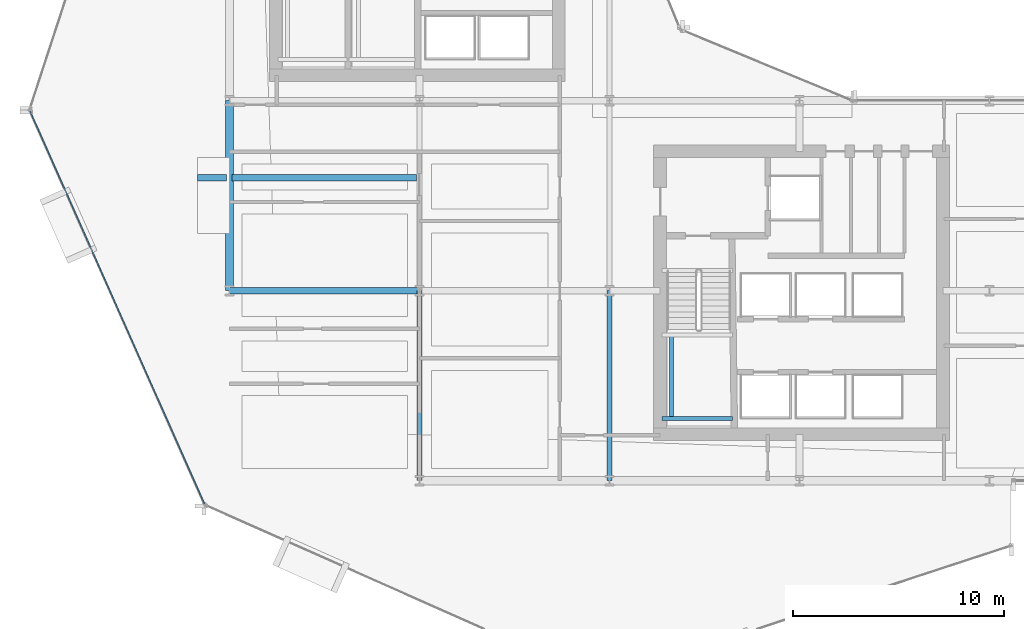
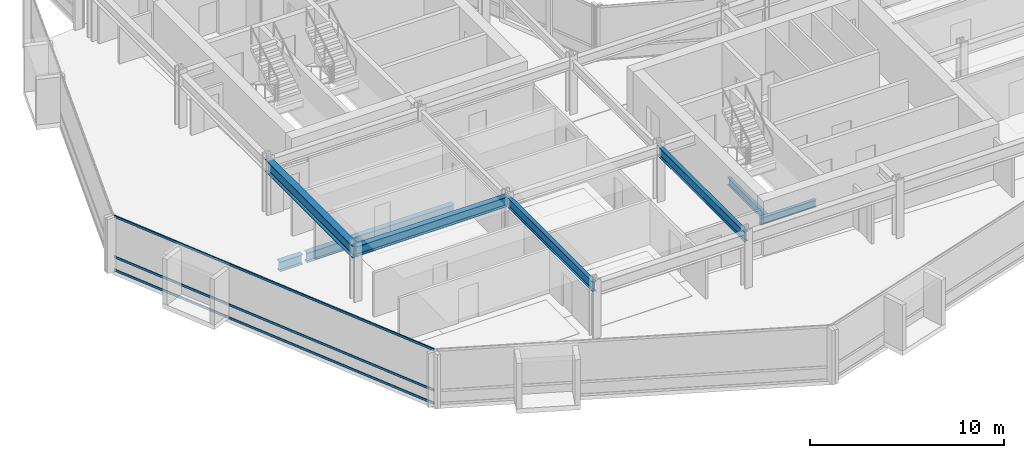
# One storey, part 5 of 34: 8 beams, 3 members, 1 element without a shape of its own.
"""IFC4 building model written with IfcOpenShell, lengths in metres."""

import ifcopenshell
import ifcopenshell.guid

model = None  # the IFC model being written
_history = None  # IfcOwnerHistory: only IFC2X3 demands one
_inside = {}  # id of a spatial element -> (the spatial element, [elements in it])
_under = {}  # id of a project, library or spatial element -> (it, [spatial elements below it])
_declared = {}  # id of a project -> (the project, [libraries it declares])
_typed = {}  # id of a type object -> (the type object, [elements of that type])
_made_of = {}  # id of a material, layer set ... -> (it, [elements and type objects made of it])


def new_model(schema):
    """Start an empty IFC model of exactly this schema.

    Asked for "IFC4X3", IfcOpenShell would pick the latest addendum, in which some entities
    have other attributes; the version numbers below select the first issue.
    IFC2X3 requires an IfcOwnerHistory on every rooted entity: one is made here for all.
    """
    global model, _history
    if schema == "IFC4X3":
        model = ifcopenshell.file(schema_version=(4, 3, 0, 0))
    else:
        model = ifcopenshell.file(schema=schema)
    _inside.clear()
    _under.clear()
    _declared.clear()
    _typed.clear()
    _made_of.clear()
    _history = None
    if model.schema == "IFC2X3":
        org = make("IfcOrganization", Name="unknown")
        user = make(
            "IfcPersonAndOrganization",
            ThePerson=make("IfcPerson", FamilyName="unknown"),
            TheOrganization=org,
        )
        app = make(
            "IfcApplication",
            ApplicationDeveloper=org,
            Version="unknown",
            ApplicationFullName="unknown",
            ApplicationIdentifier="unknown",
        )
        _history = make(
            "IfcOwnerHistory",
            OwningUser=user,
            OwningApplication=app,
            ChangeAction="ADDED",
            CreationDate=0,
        )
    return model


def make(cls, **values):
    """One entity of the class cls with the attributes given. An attribute that is None is left unset."""
    return model.create_entity(
        cls, **{name: value for name, value in values.items() if value is not None}
    )


def rooted(cls, **values):
    """An entity with a GlobalId (a new one), such as an element, a storey or a relation."""
    return make(cls, GlobalId=ifcopenshell.guid.new(), OwnerHistory=_history, **values)


def si_unit(unit_type, name, prefix=None):
    """IfcSIUnit, for example si_unit("LENGTHUNIT", "METRE", prefix="MILLI")."""
    return make("IfcSIUnit", UnitType=unit_type, Prefix=prefix, Name=name)


def assignment(units):
    """IfcUnitAssignment: the units of a project."""
    return None if units is None else make("IfcUnitAssignment", Units=units)


def point(xyz):
    """IfcCartesianPoint."""
    return None if xyz is None else make("IfcCartesianPoint", Coordinates=xyz)


def direction(xyz):
    """IfcDirection."""
    return None if xyz is None else make("IfcDirection", DirectionRatios=xyz)


def frame(location, z_axis=None, x_axis=None):
    """IfcAxis2Placement3D, a coordinate frame: its origin and axes. An axis left out is left unset."""
    return make(
        "IfcAxis2Placement3D",
        Location=point(location),
        Axis=direction(z_axis),
        RefDirection=direction(x_axis),
    )


def frame_2d(location, x_axis=None):
    """IfcAxis2Placement2D, a coordinate frame in the plane: its origin and x axis."""
    return make(
        "IfcAxis2Placement2D", Location=point(location), RefDirection=direction(x_axis)
    )


def origin():
    """The frame at (0, 0, 0) with its axes left unset."""
    return frame((0.0, 0.0, 0.0))


def origin_2d():
    """The frame at (0, 0) in the plane with its x axis left unset."""
    return frame_2d((0.0, 0.0))


def place(relative_to, where):
    """IfcLocalPlacement: puts the frame where relative to a parent placement (None: the world)."""
    return make(
        "IfcLocalPlacement", PlacementRelTo=relative_to, RelativePlacement=where
    )


def context(
    kind, dimensions, precision=None, world=None, true_north=None, identifier=None
):
    """IfcGeometricRepresentationContext, for example the 3D "Model" context."""
    return make(
        "IfcGeometricRepresentationContext",
        ContextIdentifier=identifier,
        ContextType=kind,
        CoordinateSpaceDimension=dimensions,
        Precision=precision,
        WorldCoordinateSystem=world,
        TrueNorth=true_north,
    )


def subcontext(parent, identifier, kind, view, scale=None):
    """IfcGeometricRepresentationSubContext, for example "Body" below "Model"."""
    return make(
        "IfcGeometricRepresentationSubContext",
        ContextIdentifier=identifier,
        ContextType=kind,
        ParentContext=parent,
        TargetScale=scale,
        TargetView=view,
    )


def project(units=None, contexts=None):
    """IfcProject with its units and contexts."""
    return rooted(
        "IfcProject",
        Name="project",
        RepresentationContexts=contexts,
        UnitsInContext=assignment(units),
    )


def spatial(cls, under=None, at=None, **own):
    """A site, building, storey or space (cls), placed at a placement, below another one or the project."""
    s = rooted(cls, ObjectPlacement=at, **own)
    if under is not None:
        _under.setdefault(under.id(), (under, []))[1].append(s)
    return s


def profile(cls, at=None, kind="AREA", **sizes):
    """A parametric profile (cls). Its sizes go by their IFC names, for example OverallWidth=200.0."""
    return make(cls, ProfileType=kind, Position=at, **sizes)


def hollow_rectangle(**sizes):
    """IfcRectangleHollowProfileDef."""
    return profile("IfcRectangleHollowProfileDef", **sizes)


def i_section(**sizes):
    """IfcIShapeProfileDef."""
    return profile("IfcIShapeProfileDef", **sizes)


def extrude(swept, where, along, depth):
    """IfcExtrudedAreaSolid: the profile swept, set in the frame where, extruded along a direction by depth."""
    return make(
        "IfcExtrudedAreaSolid",
        SweptArea=swept,
        Position=where,
        ExtrudedDirection=direction(along),
        Depth=depth,
    )


def shape(context_of_items, identifier, shape_type, items):
    """IfcShapeRepresentation: the items that make up one representation, for example the "Body"."""
    return make(
        "IfcShapeRepresentation",
        ContextOfItems=context_of_items,
        RepresentationIdentifier=identifier,
        RepresentationType=shape_type,
        Items=items,
    )


def material(Name=None, Category=None):
    """IfcMaterial."""
    return make("IfcMaterial", Name=Name, Category=Category)


def layer(
    of_material, thickness, ventilated=None, Name=None, Category=None, Priority=None
):
    """IfcMaterialLayer: one layer of a wall or slab, of a material (None: an air gap)."""
    return make(
        "IfcMaterialLayer",
        Material=of_material,
        LayerThickness=thickness,
        IsVentilated=ventilated,
        Name=Name,
        Category=Category,
        Priority=Priority,
    )


def layer_set(layers, Name=None):
    """IfcMaterialLayerSet."""
    return make("IfcMaterialLayerSet", MaterialLayers=layers, LayerSetName=Name)


def material_profile(
    of_material, cross_section, Name=None, Category=None, Priority=None
):
    """IfcMaterialProfile: a cross section and its material."""
    return make(
        "IfcMaterialProfile",
        Name=Name,
        Material=of_material,
        Profile=cross_section,
        Priority=Priority,
        Category=Category,
    )


def profile_set(profiles, Name=None, composite=None):
    """IfcMaterialProfileSet."""
    return make(
        "IfcMaterialProfileSet",
        Name=Name,
        MaterialProfiles=profiles,
        CompositeProfile=composite,
    )


def made_of(thing, what):
    """Note that an element or type object is made of a material, layer set ...; save() writes the relation."""
    if what is not None:
        _made_of.setdefault(what.id(), (what, []))[1].append(thing)
    return thing


def type_object(cls, material=None, **own):
    """A type object (cls), such as IfcWallType, which elements share."""
    return made_of(rooted(cls, **own), material)


def element(
    cls,
    number,
    at=None,
    inside=None,
    cuts=None,
    type_object=None,
    material=None,
    context=None,
    identifier="Body",
    shape_type=None,
    held_by="IfcProductDefinitionShape",
    body=None,
    shapes=None,
    **own,
):
    """One element of the class cls, such as IfcWall. Its Tag is "e" and its number.

    at: its placement. inside: the storey or other place that contains it. cuts: it is an
    opening in that element (IfcRelVoidsElement). A single representation is given by context,
    identifier, shape_type and body (its items); several are given by shapes. held_by: the class
    of the entity that holds the representations. save() writes the other relations.
    """
    e = rooted(cls, Tag="e%d" % number, ObjectPlacement=at, **own)
    if body is not None:
        shapes = [shape(context, identifier, shape_type, body)]
    if shapes is not None:
        e.Representation = make(held_by, Representations=shapes)
    if inside is not None:
        _inside.setdefault(inside.id(), (inside, []))[1].append(e)
    if cuts is not None:
        rooted(
            "IfcRelVoidsElement", RelatingBuildingElement=cuts, RelatedOpeningElement=e
        )
    if type_object is not None:
        _typed.setdefault(type_object.id(), (type_object, []))[1].append(e)
    return made_of(e, material)


def aggregate(whole, parts):
    """IfcRelAggregates: a whole, such as a stair, and the parts it consists of."""
    return rooted("IfcRelAggregates", RelatingObject=whole, RelatedObjects=parts)


def save(model, path):
    """Write the relations noted so far, then the file.

    IfcRelAggregates (storeys below a building ...), IfcRelContainedInSpatialStructure (elements
    in a storey), IfcRelDefinesByType, IfcRelAssociatesMaterial and IfcRelDeclares: one each for
    every whole, place, type object, material and project.
    """
    for whole, parts in _under.values():
        aggregate(whole, parts)
    for where, things in _inside.values():
        rooted(
            "IfcRelContainedInSpatialStructure",
            RelatedElements=things,
            RelatingStructure=where,
        )
    for kind, things in _typed.values():
        rooted("IfcRelDefinesByType", RelatedObjects=things, RelatingType=kind)
    for what, things in _made_of.values():
        rooted("IfcRelAssociatesMaterial", RelatedObjects=things, RelatingMaterial=what)
    for by, libraries in _declared.values():
        rooted("IfcRelDeclares", RelatingContext=by, RelatedDefinitions=libraries)
    model.write(path)


model = new_model("IFC4")

# Units and contexts
model_context = context("Model", 3, precision=1e-05, world=origin(), true_north=direction((0.0, 1.0)))
body_context = subcontext(model_context, "Body", "Model", "MODEL_VIEW")
ifc_project = project(units=[si_unit("LENGTHUNIT", "METRE"), si_unit("AREAUNIT", "SQUARE_METRE"), si_unit("VOLUMEUNIT", "CUBIC_METRE"), si_unit("PLANEANGLEUNIT", "RADIAN"), si_unit("MASSUNIT", "GRAM", prefix="KILO")], contexts=[model_context])

# Site, building, storey
site_placement = place(None, origin())
site = spatial("IfcSite", under=ifc_project, at=site_placement, CompositionType="ELEMENT")
building_placement = place(site_placement, origin())
building = spatial("IfcBuilding", under=site, at=building_placement, Name="Solvaryn Broadcast Tower", CompositionType="ELEMENT")
storey_placement = place(building_placement, frame((0.0, 0.0, 39.699951171875)))
storey = spatial("IfcBuildingStorey", under=building, at=storey_placement, Name="L08", CompositionType="ELEMENT", Elevation=39.699951171875)

# Beams
ifc_material_1 = material(Name="Steel ASTM A992 Grade 50", Category="steel")
ifc_material_profile_1 = material_profile(ifc_material_1, i_section(OverallWidth=0.323974609375, OverallDepth=0.611083984375, WebThickness=0.0126953125, FlangeThickness=0.01904296875, FilletRadius=0.014892578125, at=origin_2d()))
ifc_profile_set_1 = profile_set([ifc_material_profile_1], Name="Steel ASTM A992 Grade 50")
beam_type_1 = type_object("IfcBeamType", Name="BM-B1-W24X104", PredefinedType="BEAM", material=ifc_profile_set_1)
beam_1_placement = place(storey_placement, frame((17.875, 23.35009765625, -0.58544921875), z_axis=(-1.0, 0.0, 0.0), x_axis=(0.0, -1.0, 0.0)))
element("IfcBeam", 1, at=beam_1_placement, inside=storey, type_object=beam_type_1, Name="L08 Bay-Box Back-Span Beam 1", PredefinedType="BEAM", context=body_context, shape_type="SweptSolid", body=[
    extrude(i_section(OverallWidth=0.323974609375, OverallDepth=0.611083984375, WebThickness=0.0126953125, FlangeThickness=0.01904296875, FilletRadius=0.014892578125, at=origin_2d()), origin(), (0.0, 0.0, 1.0), 8.75),
])
beam_2_placement = place(storey_placement, frame((9.0, 18.0, 3.114501953125), z_axis=(1.0, 0.0, 0.0), x_axis=(0.0, 1.0, 0.0)))
element("IfcBeam", 2, at=beam_2_placement, inside=storey, type_object=beam_type_1, Name="L08 Primary Beam X (9-18 @ Y=18)", PredefinedType="BEAM", context=body_context, shape_type="SweptSolid", body=[
    extrude(i_section(OverallWidth=0.323974609375, OverallDepth=0.611083984375, WebThickness=0.0126953125, FlangeThickness=0.01904296875, FilletRadius=0.014892578125, at=origin_2d()), origin(), (0.0, 0.0, 1.0), 9.0),
])
ifc_material_2 = material(Name="Steel ASTM A992 Grade 50", Category="steel")
ifc_material_profile_2 = material_profile(ifc_material_2, i_section(OverallWidth=0.22802734375, OverallDepth=0.60791015625, WebThickness=0.01123046875, FlangeThickness=0.017333984375, FilletRadius=0.014892578125, at=origin_2d()))
ifc_profile_set_2 = profile_set([ifc_material_profile_2], Name="Steel ASTM A992 Grade 50")
beam_type_2 = type_object("IfcBeamType", Name="BM-B2-W24X76", PredefinedType="BEAM", material=ifc_profile_set_2)
for number, where, z_axis, x_axis, name in (
    (3, (18.0, 9.0, 3.115966796875), (0.0, 1.0, 0.0), (-1.0, 0.0, 0.0), "L08 Primary Beam Y (9-18 @ X=18)"),
    (4, (27.0, 9.0, 3.115966796875), (0.0, 1.0, 0.0), (-1.0, 0.0, 0.0), "L08 Primary Beam Y (9-18 @ X=27)"),
):
    element("IfcBeam", number, at=place(storey_placement, frame(where, z_axis=z_axis, x_axis=x_axis)), inside=storey, type_object=beam_type_2, Name=name, PredefinedType="BEAM", context=body_context, shape_type="SweptSolid", body=[
        extrude(i_section(OverallWidth=0.22802734375, OverallDepth=0.60791015625, WebThickness=0.01123046875, FlangeThickness=0.017333984375, FilletRadius=0.014892578125, at=origin_2d()), origin(), (0.0, 0.0, 1.0), 9.0),
    ])
ifc_material_3 = material(Name="Steel ASTM A992 Grade 50", Category="steel")
ifc_material_profile_3 = material_profile(ifc_material_3, i_section(OverallWidth=0.18994140625, OverallDepth=0.45703125, WebThickness=0.009033203125, FlangeThickness=0.014404296875, FilletRadius=0.011962890625, at=origin_2d()))
ifc_profile_set_3 = profile_set([ifc_material_profile_3], Name="Steel ASTM A992 Grade 50")
beam_type_3 = type_object("IfcBeamType", Name="BM-B4-W18X50", PredefinedType="BEAM", material=ifc_profile_set_3)
beam_3_placement = place(storey_placement, frame((29.5, 11.949951171875, 1.421630859375), z_axis=(1.0, 0.0, 0.0), x_axis=(0.0, 1.0, 0.0)))
element("IfcBeam", 5, at=beam_3_placement, inside=storey, type_object=beam_type_3, Name="L08 ST3 Landing Support Beam 1A", PredefinedType="BEAM", context=body_context, shape_type="SweptSolid", body=[
    extrude(i_section(OverallWidth=0.18994140625, OverallDepth=0.45703125, WebThickness=0.009033203125, FlangeThickness=0.014404296875, FilletRadius=0.011962890625, at=origin_2d()), origin(), (0.0, 0.0, 1.0), 3.320068359375),
])
beam_4_placement = place(storey_placement, frame((29.949951171875, 11.949951171875, 1.421630859375), z_axis=(0.0, 1.0, 0.0), x_axis=(-1.0, 0.0, 0.0)))
element("IfcBeam", 6, at=beam_4_placement, inside=storey, type_object=beam_type_3, Name="L08 ST3 Landing Cross Stringer 1C", PredefinedType="BEAM", context=body_context, shape_type="SweptSolid", body=[
    extrude(i_section(OverallWidth=0.18994140625, OverallDepth=0.45703125, WebThickness=0.009033203125, FlangeThickness=0.014404296875, FilletRadius=0.011962890625, at=origin_2d()), origin(), (0.0, 0.0, 1.0), 3.9599609375),
])
ifc_material_4 = material(Name="Steel ASTM A992 Grade 50", Category="steel")
ifc_material_profile_4 = material_profile(ifc_material_4, i_section(OverallWidth=0.323974609375, OverallDepth=0.611083984375, WebThickness=0.0126953125, FlangeThickness=0.01904296875, FilletRadius=0.014892578125, at=origin_2d()))
ifc_profile_set_4 = profile_set([ifc_material_profile_4], Name="Steel ASTM A992 Grade 50")
beam_type_4 = type_object("IfcBeamType", Name="BM-CANT-TER", PredefinedType="BEAM", material=ifc_profile_set_4)
beam_5_placement = place(storey_placement, frame((8.875, 23.35009765625, -0.58544921875), z_axis=(-1.0, 0.0, 0.0), x_axis=(0.0, -1.0, 0.0)))
element("IfcBeam", 7, at=beam_5_placement, inside=storey, type_object=beam_type_4, Name="L08 Bay-Box Cantilever Bracket 1", PredefinedType="BEAM", context=body_context, shape_type="SweptSolid", body=[
    extrude(i_section(OverallWidth=0.323974609375, OverallDepth=0.611083984375, WebThickness=0.0126953125, FlangeThickness=0.01904296875, FilletRadius=0.014892578125, at=origin_2d()), origin(), (0.0, 0.0, 1.0), 1.375),
])
ifc_material_5 = material(Name="Steel ASTM A992 Grade 50", Category="steel")
ifc_material_profile_5 = material_profile(ifc_material_5, i_section(OverallWidth=0.381103515625, OverallDepth=0.77294921875, WebThickness=0.0166015625, FlangeThickness=0.027099609375, FilletRadius=0.01806640625, at=origin_2d()))
ifc_profile_set_5 = profile_set([ifc_material_profile_5], Name="Steel ASTM A992 Grade 50")
beam_type_5 = type_object("IfcBeamType", Name="BM-SP1-W30X173", PredefinedType="USERDEFINED", material=ifc_profile_set_5)
beam_6_placement = place(storey_placement, frame((9.0, 18.0, 3.033447265625), z_axis=(0.0, 1.0, 0.0), x_axis=(-1.0, 0.0, 0.0)))
element("IfcBeam", 8, at=beam_6_placement, inside=storey, type_object=beam_type_5, Name="L08 Spandrel Beam Y (18-27 @ X=9)", ObjectType="SPANDREL", PredefinedType="USERDEFINED", context=body_context, shape_type="SweptSolid", body=[
    extrude(i_section(OverallWidth=0.381103515625, OverallDepth=0.77294921875, WebThickness=0.0166015625, FlangeThickness=0.027099609375, FilletRadius=0.01806640625, at=origin_2d()), origin(), (0.0, 0.0, 1.0), 9.0),
])

# Curtain wall, members
ifc_material_6 = material(Name="Aluminium and Terracotta Unitised Curtain Wall", Category="masonry")
ifc_layer = layer(ifc_material_6, 0.199951171875)
ifc_layer_set = layer_set([ifc_layer], Name="CW-SYS2-LOWMID")
curtain_wall_type = type_object("IfcCurtainWallType", Name="CW-SYS2-LOWMID", PredefinedType="NOTDEFINED", material=ifc_layer_set)
curtain_wall_placement = place(storey_placement, origin())
curtain_wall = element("IfcCurtainWall", 9, at=curtain_wall_placement, inside=storey, type_object=curtain_wall_type, Name="L08 Curtain Wall DR2", PredefinedType="NOTDEFINED")
ifc_material_7 = material(Name="Anodised Aluminium 6063-T6", Category="aluminium")
ifc_material_profile_6 = material_profile(ifc_material_7, hollow_rectangle(XDim=0.06494140625, YDim=0.14990234375, WallThickness=0.00390625, InnerFilletRadius=0.00390625, OuterFilletRadius=0.008056640625, at=origin_2d()))
ifc_profile_set_6 = profile_set([ifc_material_profile_6], Name="Anodised Aluminium 6063-T6")
member_type = type_object("IfcMemberType", Name="CW-TRN-150", PredefinedType="USERDEFINED", material=ifc_profile_set_6)
member_1_placement = place(storey_placement, frame((-0.439697265625, 26.505126953125, 0.030029296875), z_axis=(0.405905872269, -0.913914888191, 0.0), x_axis=(0.913914888191, 0.405905872269, 0.0)))
member_1 = element("IfcMember", 10, at=member_1_placement, type_object=member_type, Name="CWS2 transom 1.1", ObjectType="TRANSOM", PredefinedType="USERDEFINED", context=body_context, shape_type="SweptSolid", body=[
    extrude(hollow_rectangle(XDim=0.06494140625, YDim=0.14990234375, WallThickness=0.00390625, InnerFilletRadius=0.00390625, OuterFilletRadius=0.008056640625, at=origin_2d()), origin(), (0.0, 0.0, 1.0), 20.35546875),
])
member_2_placement = place(storey_placement, frame((-0.439697265625, 26.505126953125, 0.85009765625), z_axis=(0.405905872269, -0.913914888191, 0.0), x_axis=(0.913914888191, 0.405905872269, 0.0)))
member_2 = element("IfcMember", 11, at=member_2_placement, type_object=member_type, Name="CWS2 transom 1.2", ObjectType="TRANSOM", PredefinedType="USERDEFINED", context=body_context, shape_type="SweptSolid", body=[
    extrude(hollow_rectangle(XDim=0.06494140625, YDim=0.14990234375, WallThickness=0.00390625, InnerFilletRadius=0.00390625, OuterFilletRadius=0.008056640625, at=origin_2d()), origin(), (0.0, 0.0, 1.0), 20.35546875),
])
member_3_placement = place(storey_placement, frame((-0.439697265625, 26.505126953125, 3.39013671875), z_axis=(0.405905872269, -0.913914888191, 0.0), x_axis=(0.913914888191, 0.405905872269, 0.0)))
member_3 = element("IfcMember", 12, at=member_3_placement, type_object=member_type, Name="CWS2 transom 1.3", ObjectType="TRANSOM", PredefinedType="USERDEFINED", context=body_context, shape_type="SweptSolid", body=[
    extrude(hollow_rectangle(XDim=0.06494140625, YDim=0.14990234375, WallThickness=0.00390625, InnerFilletRadius=0.00390625, OuterFilletRadius=0.008056640625, at=origin_2d()), origin(), (0.0, 0.0, 1.0), 20.35546875),
])
aggregate(curtain_wall, [member_1, member_2, member_3])

save(model, "model.ifc")
